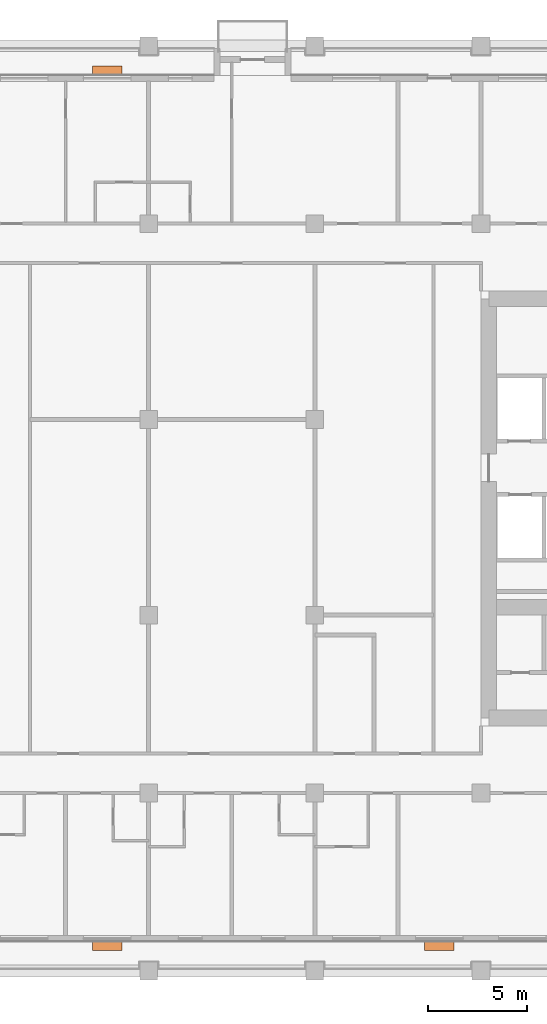
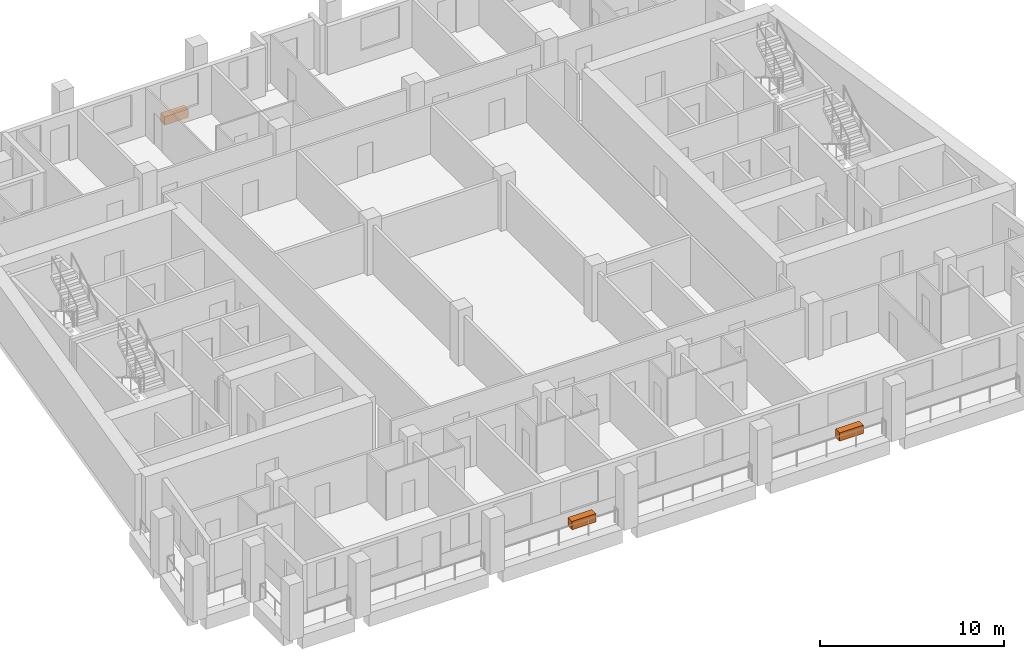
# One storey, part 13 of 13: 3 proxies.
"""IFC4 building model written with IfcOpenShell, lengths in metres."""

from ifc_helpers import new_model, si_unit, direction, frame, origin, origin_2d, place, context, subcontext, project, spatial, rectangle, extrude, element, save


model = new_model("IFC4")

# Units and contexts
model_context = context("Model", 3, precision=1e-05, world=origin(), true_north=direction((0.0, 1.0)))
body_context = subcontext(model_context, "Body", "Model", "MODEL_VIEW")
ifc_project = project(units=[si_unit("LENGTHUNIT", "METRE"), si_unit("AREAUNIT", "SQUARE_METRE"), si_unit("VOLUMEUNIT", "CUBIC_METRE"), si_unit("PLANEANGLEUNIT", "RADIAN"), si_unit("MASSUNIT", "GRAM", prefix="KILO")], contexts=[model_context])

# Site, building, storey
site_placement = place(None, origin())
site = spatial("IfcSite", under=ifc_project, at=site_placement, CompositionType="ELEMENT")
building_placement = place(site_placement, origin())
building = spatial("IfcBuilding", under=site, at=building_placement, Name="Candeia Pilgrim Tower and Theatre", CompositionType="ELEMENT")
storey_placement = place(building_placement, frame((0.0, 0.0, 242.89990234375)))
storey = spatial("IfcBuildingStorey", under=building, at=storey_placement, Name="L59", CompositionType="ELEMENT", Elevation=242.89990234375)

# Proxies
for number, where, z_axis, x_axis, name in (
    (1, (107.10009765625, 99.2548828125, 0.0), (0.0, 0.0, 1.0), (1.0, 0.0, 0.0), "Planter"),
    (2, (123.89990234375, 99.2548828125, 0.0), (0.0, 0.0, 1.0), (1.0, 0.0, 0.0), "Planter"),
    (3, (107.10009765625, 143.544921875, 0.0), (0.0, 0.0, 1.0), (-1.0, 0.0, 0.0), "Planter"),
):
    element("IfcBuildingElementProxy", number, at=place(storey_placement, frame(where, z_axis=z_axis, x_axis=x_axis)), inside=storey, Name=name, ObjectType="PLANTER", PredefinedType="USERDEFINED", context=body_context, shape_type="SweptSolid", body=[
        extrude(rectangle(XDim=1.5, YDim=0.449951171875, at=origin_2d()), origin(), (0.0, 0.0, 1.0), 0.550048828125),
    ])

save(model, "model.ifc")
